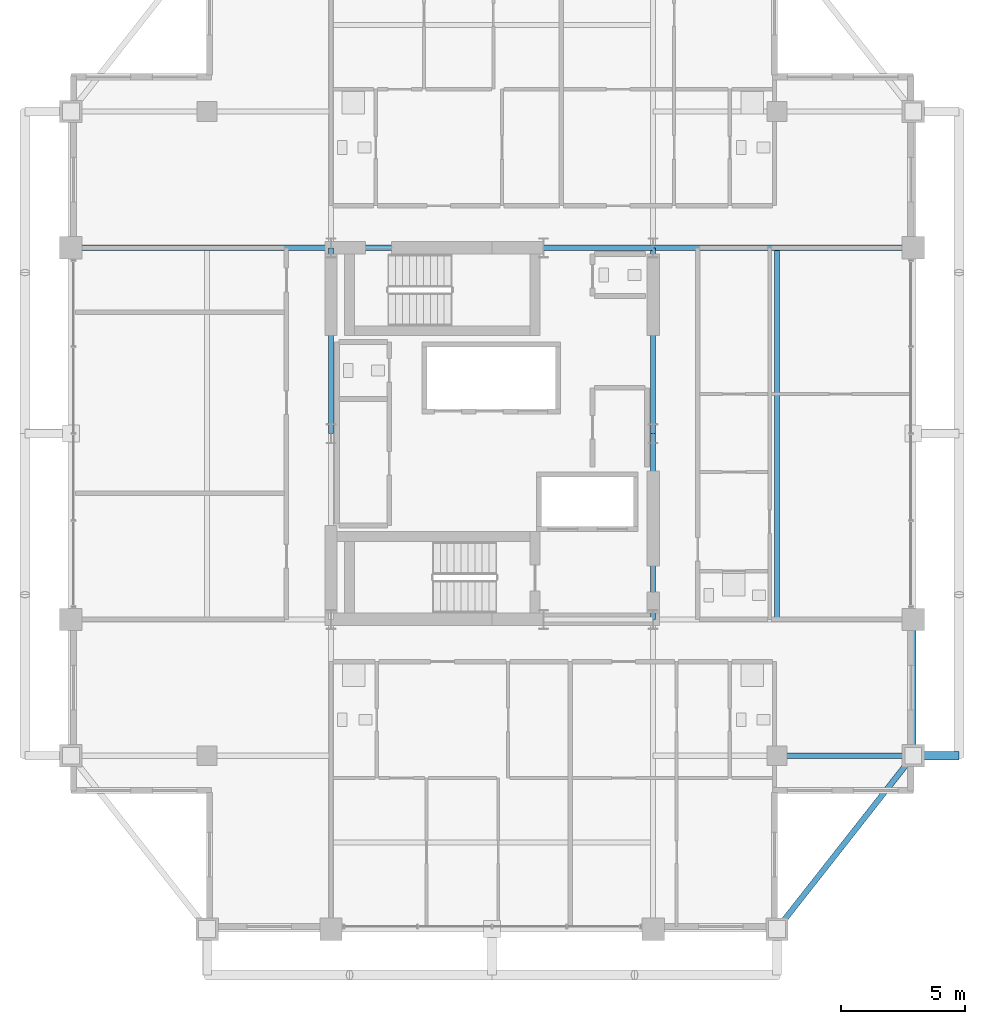
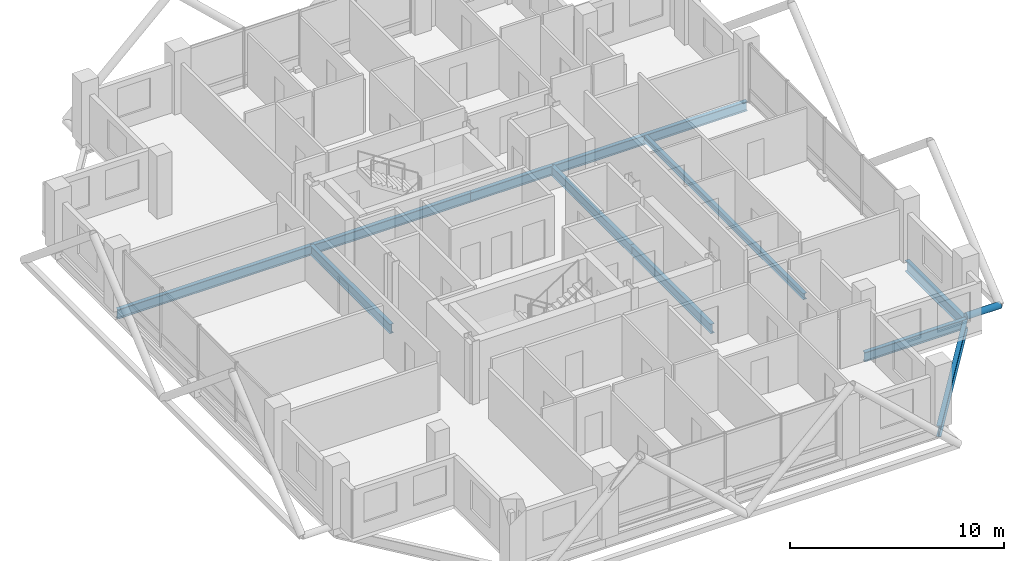
# One storey, part 11 of 24: 11 beams, 1 member.
"""IFC4 building model written with IfcOpenShell, lengths in metres."""

from ifc_helpers import new_model, si_unit, direction, frame, origin, origin_2d, place, context, subcontext, project, spatial, hollow_circle, i_section, extrude, material, material_profile, profile_set, type_object, element, save


model = new_model("IFC4")

# Units and contexts
model_context = context("Model", 3, precision=1e-05, world=origin(), true_north=direction((0.0, 1.0)))
body_context = subcontext(model_context, "Body", "Model", "MODEL_VIEW")
ifc_project = project(units=[si_unit("LENGTHUNIT", "METRE"), si_unit("AREAUNIT", "SQUARE_METRE"), si_unit("VOLUMEUNIT", "CUBIC_METRE"), si_unit("PLANEANGLEUNIT", "RADIAN"), si_unit("MASSUNIT", "GRAM", prefix="KILO")], contexts=[model_context])

# Site, building, storey
site_placement = place(None, origin())
site = spatial("IfcSite", under=ifc_project, at=site_placement, CompositionType="ELEMENT")
building_placement = place(site_placement, origin())
building = spatial("IfcBuilding", under=site, at=building_placement, Name="Barlavira Tower and Art Museum", CompositionType="ELEMENT")
storey_placement = place(building_placement, frame((0.0, 0.0, 240.300048828125)))
storey = spatial("IfcBuildingStorey", under=building, at=storey_placement, Name="L62", CompositionType="ELEMENT", Elevation=240.300048828125)

# Member
ifc_material = material(Name="Steel S355", Category="steel")
ifc_material_profile_1 = material_profile(ifc_material, hollow_circle(Radius=0.177734375, WallThickness=0.01611328125, at=origin_2d()), Name="CHS 355.6x16.0")
ifc_profile_set_1 = profile_set([ifc_material_profile_1], Name="Steel S355")
member_type = type_object("IfcMemberType", Name="Pale-Metal Exoskeleton Tie Strut CHS 356x16 Steel S355", PredefinedType="STRUT", material=ifc_profile_set_1)
member_placement = place(storey_placement, frame((18.85009765625, -13.0, -0.1201171875), z_axis=(-1.0, 0.0, 0.0), x_axis=(0.0, -1.0, 0.0)))
element("IfcMember", 1, at=member_placement, inside=storey, type_object=member_type, Name="L62 Exoskeleton Tie Strut E1", PredefinedType="STRUT", context=body_context, shape_type="SweptSolid", body=[
    extrude(hollow_circle(Radius=0.177734375, WallThickness=0.01611328125, at=origin_2d()), origin(), (0.0, 0.0, 1.0), 1.85009765625),
])

# Beams
ifc_material_profile_2 = material_profile(ifc_material, i_section(OverallWidth=0.22998046875, OverallDepth=0.616943359375, WebThickness=0.01318359375, FlangeThickness=0.022216796875, at=origin_2d()), Name="W610x140.0")
ifc_profile_set_2 = profile_set([ifc_material_profile_2], Name="Steel S355")
beam_type_1 = type_object("IfcBeamType", Name="Upper Shaft Spandrel Edge Beam W610x140 Steel S355", PredefinedType="SPANDREL", material=ifc_profile_set_2)
beam_1_placement = place(storey_placement, frame((11.5, -20.0, -0.528564453125), z_axis=(0.617821551932, 0.786318338822, 0.0), x_axis=(-0.786318338822, 0.617821551932, 0.0)))
element("IfcBeam", 2, at=beam_1_placement, inside=storey, type_object=beam_type_1, Name="L62 Spandrel 4", PredefinedType="SPANDREL", context=body_context, shape_type="SweptSolid", body=[
    extrude(i_section(OverallWidth=0.22998046875, OverallDepth=0.616943359375, WebThickness=0.01318359375, FlangeThickness=0.022216796875, at=origin_2d()), origin(), (0.0, 0.0, 1.0), 8.90234375),
])
beam_2_placement = place(storey_placement, frame((17.0, -13.0, -0.528564453125), z_axis=(0.0, 1.0, 0.0), x_axis=(-1.0, 0.0, 0.0)))
element("IfcBeam", 3, at=beam_2_placement, inside=storey, type_object=beam_type_1, Name="L62 Spandrel 5", PredefinedType="SPANDREL", context=body_context, shape_type="SweptSolid", body=[
    extrude(i_section(OverallWidth=0.22998046875, OverallDepth=0.616943359375, WebThickness=0.01318359375, FlangeThickness=0.022216796875, at=origin_2d()), origin(), (0.0, 0.0, 1.0), 5.5),
])
ifc_material_profile_3 = material_profile(ifc_material, i_section(OverallWidth=0.2109375, OverallDepth=0.5390625, WebThickness=0.01171875, FlangeThickness=0.018798828125, at=origin_2d()), Name="W530x109.0")
ifc_profile_set_3 = profile_set([ifc_material_profile_3], Name="Steel S355")
beam_type_2 = type_object("IfcBeamType", Name="Zone 3-4 Primary Floor Girder W530x109 Steel S355", PredefinedType="BEAM", material=ifc_profile_set_3)
beam_3_placement = place(storey_placement, frame((-6.5, 7.5, -0.489501953125), z_axis=(1.0, 0.0, 0.0), x_axis=(0.0, 1.0, 0.0)))
element("IfcBeam", 4, at=beam_3_placement, inside=storey, type_object=beam_type_2, Name="L62 Girder C-N1", PredefinedType="BEAM", context=body_context, shape_type="SweptSolid", body=[
    extrude(i_section(OverallWidth=0.2109375, OverallDepth=0.5390625, WebThickness=0.01171875, FlangeThickness=0.018798828125, at=origin_2d()), origin(), (0.0, 0.0, 1.0), 8.580078125),
])
beam_4_placement = place(storey_placement, frame((2.080078125, 7.5, -0.489501953125), z_axis=(1.0, 0.0, 0.0), x_axis=(0.0, 1.0, 0.0)))
element("IfcBeam", 5, at=beam_4_placement, inside=storey, type_object=beam_type_2, Name="L62 Girder C-N2", PredefinedType="BEAM", context=body_context, shape_type="SweptSolid", body=[
    extrude(i_section(OverallWidth=0.2109375, OverallDepth=0.5390625, WebThickness=0.01171875, FlangeThickness=0.018798828125, at=origin_2d()), origin(), (0.0, 0.0, 1.0), 4.419921875),
])
for number, where, z_axis, x_axis, name in (
    (6, (-6.5, 0.0, -0.489501953125), (0.0, 1.0, 0.0), (-1.0, 0.0, 0.0), "L62 Girder C-W2"),
    (7, (6.5, -7.5, -0.489501953125), (0.0, 1.0, 0.0), (-1.0, 0.0, 0.0), "L62 Girder C-E1"),
    (8, (6.5, 0.0, -0.489501953125), (0.0, 1.0, 0.0), (-1.0, 0.0, 0.0), "L62 Girder C-E2"),
):
    element("IfcBeam", number, at=place(storey_placement, frame(where, z_axis=z_axis, x_axis=x_axis)), inside=storey, type_object=beam_type_2, Name=name, PredefinedType="BEAM", context=body_context, shape_type="SweptSolid", body=[
        extrude(i_section(OverallWidth=0.2109375, OverallDepth=0.5390625, WebThickness=0.01171875, FlangeThickness=0.018798828125, at=origin_2d()), origin(), (0.0, 0.0, 1.0), 7.5),
    ])
for number, where, z_axis, x_axis, name in (
    (9, (-17.0, 7.5, -0.489501953125), (1.0, 0.0, 0.0), (0.0, 1.0, 0.0), "L62 Girder R-W2"),
    (10, (6.5, 7.5, -0.489501953125), (1.0, 0.0, 0.0), (0.0, 1.0, 0.0), "L62 Girder R-E2"),
):
    element("IfcBeam", number, at=place(storey_placement, frame(where, z_axis=z_axis, x_axis=x_axis)), inside=storey, type_object=beam_type_2, Name=name, PredefinedType="BEAM", context=body_context, shape_type="SweptSolid", body=[
        extrude(i_section(OverallWidth=0.2109375, OverallDepth=0.5390625, WebThickness=0.01171875, FlangeThickness=0.018798828125, at=origin_2d()), origin(), (0.0, 0.0, 1.0), 10.5),
    ])
beam_5_placement = place(storey_placement, frame((11.5, -13.0, -0.489501953125), z_axis=(1.0, 0.0, 0.0), x_axis=(0.0, 1.0, 0.0)))
element("IfcBeam", 11, at=beam_5_placement, inside=storey, type_object=beam_type_2, Name="L62 Girder I-S4", PredefinedType="BEAM", context=body_context, shape_type="SweptSolid", body=[
    extrude(i_section(OverallWidth=0.2109375, OverallDepth=0.5390625, WebThickness=0.01171875, FlangeThickness=0.018798828125, at=origin_2d()), origin(), (0.0, 0.0, 1.0), 5.5),
])
ifc_material_profile_4 = material_profile(ifc_material, i_section(OverallWidth=0.202880859375, OverallDepth=0.346923828125, WebThickness=0.0078125, FlangeThickness=0.013427734375, at=origin_2d()), Name="W360x64.0")
ifc_profile_set_4 = profile_set([ifc_material_profile_4], Name="Steel S355")
beam_type_3 = type_object("IfcBeamType", Name="Zone 4 Composite Floor Joist W360x64 Steel S355", PredefinedType="JOIST", material=ifc_profile_set_4)
beam_6_placement = place(storey_placement, frame((11.5, -7.5, -0.3935546875), z_axis=(0.0, 1.0, 0.0), x_axis=(-1.0, 0.0, 0.0)))
element("IfcBeam", 12, at=beam_6_placement, inside=storey, type_object=beam_type_3, Name="L62 Joist W2", PredefinedType="JOIST", context=body_context, shape_type="SweptSolid", body=[
    extrude(i_section(OverallWidth=0.202880859375, OverallDepth=0.346923828125, WebThickness=0.0078125, FlangeThickness=0.013427734375, at=origin_2d()), origin(), (0.0, 0.0, 1.0), 15.0),
])

save(model, "model.ifc")
